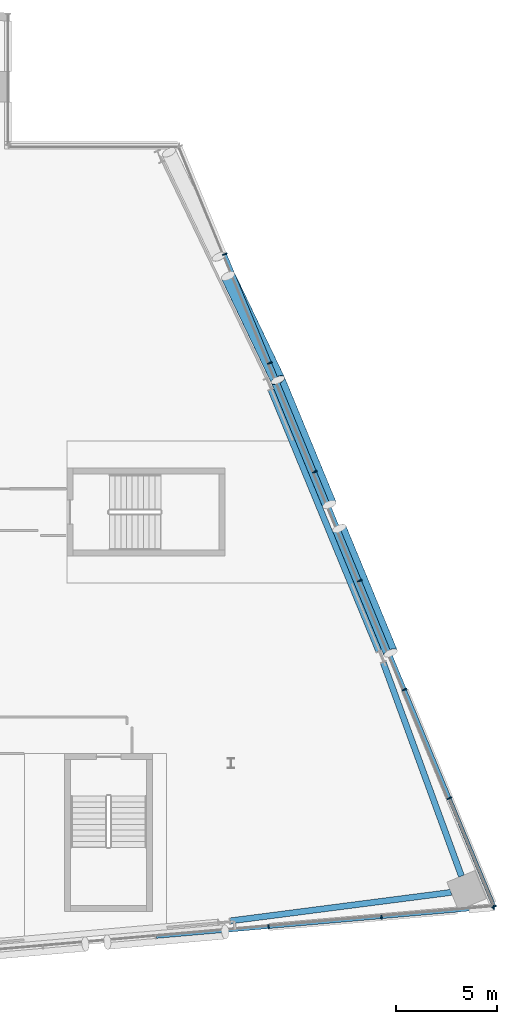
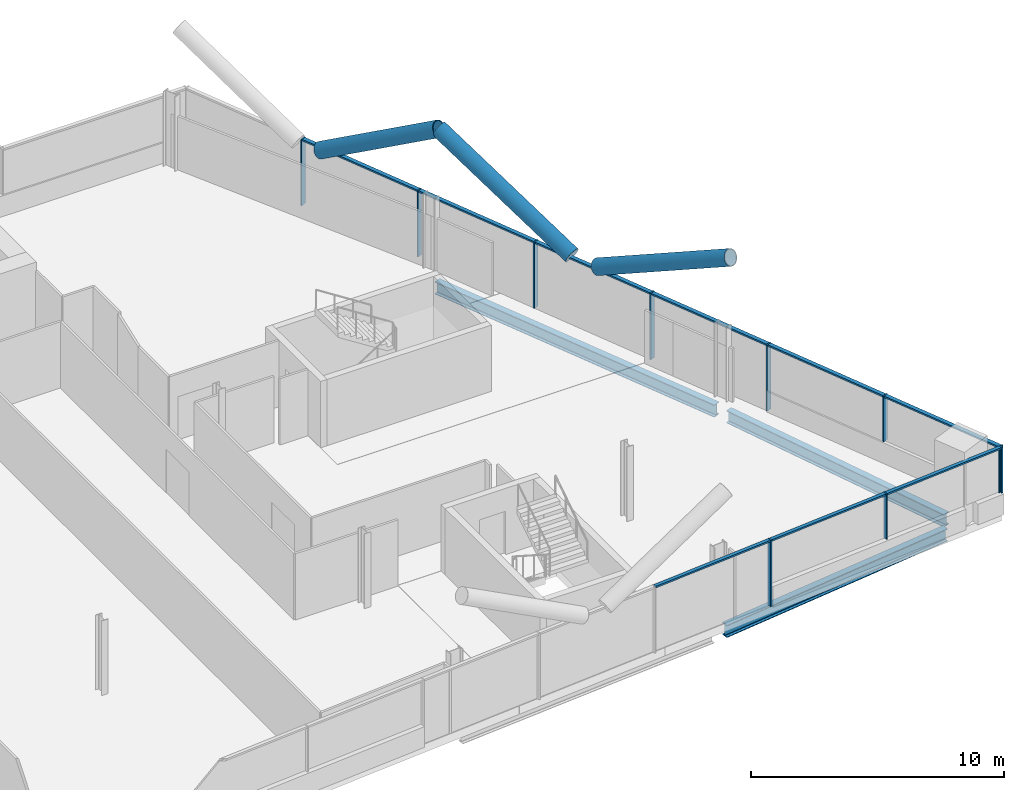
# One storey, part 11 of 26: 22 members, 3 beams, 2 elements without a shape of their own.
"""IFC4 building model written with IfcOpenShell, lengths in metres."""

import ifcopenshell
import ifcopenshell.guid

model = None  # the IFC model being written
_history = None  # IfcOwnerHistory: only IFC2X3 demands one
_inside = {}  # id of a spatial element -> (the spatial element, [elements in it])
_under = {}  # id of a project, library or spatial element -> (it, [spatial elements below it])
_declared = {}  # id of a project -> (the project, [libraries it declares])
_typed = {}  # id of a type object -> (the type object, [elements of that type])
_made_of = {}  # id of a material, layer set ... -> (it, [elements and type objects made of it])


def new_model(schema):
    """Start an empty IFC model of exactly this schema.

    Asked for "IFC4X3", IfcOpenShell would pick the latest addendum, in which some entities
    have other attributes; the version numbers below select the first issue.
    IFC2X3 requires an IfcOwnerHistory on every rooted entity: one is made here for all.
    """
    global model, _history
    if schema == "IFC4X3":
        model = ifcopenshell.file(schema_version=(4, 3, 0, 0))
    else:
        model = ifcopenshell.file(schema=schema)
    _inside.clear()
    _under.clear()
    _declared.clear()
    _typed.clear()
    _made_of.clear()
    _history = None
    if model.schema == "IFC2X3":
        org = make("IfcOrganization", Name="unknown")
        user = make(
            "IfcPersonAndOrganization",
            ThePerson=make("IfcPerson", FamilyName="unknown"),
            TheOrganization=org,
        )
        app = make(
            "IfcApplication",
            ApplicationDeveloper=org,
            Version="unknown",
            ApplicationFullName="unknown",
            ApplicationIdentifier="unknown",
        )
        _history = make(
            "IfcOwnerHistory",
            OwningUser=user,
            OwningApplication=app,
            ChangeAction="ADDED",
            CreationDate=0,
        )
    return model


def make(cls, **values):
    """One entity of the class cls with the attributes given. An attribute that is None is left unset."""
    return model.create_entity(
        cls, **{name: value for name, value in values.items() if value is not None}
    )


def rooted(cls, **values):
    """An entity with a GlobalId (a new one), such as an element, a storey or a relation."""
    return make(cls, GlobalId=ifcopenshell.guid.new(), OwnerHistory=_history, **values)


def si_unit(unit_type, name, prefix=None):
    """IfcSIUnit, for example si_unit("LENGTHUNIT", "METRE", prefix="MILLI")."""
    return make("IfcSIUnit", UnitType=unit_type, Prefix=prefix, Name=name)


def assignment(units):
    """IfcUnitAssignment: the units of a project."""
    return None if units is None else make("IfcUnitAssignment", Units=units)


def point(xyz):
    """IfcCartesianPoint."""
    return None if xyz is None else make("IfcCartesianPoint", Coordinates=xyz)


def direction(xyz):
    """IfcDirection."""
    return None if xyz is None else make("IfcDirection", DirectionRatios=xyz)


def frame(location, z_axis=None, x_axis=None):
    """IfcAxis2Placement3D, a coordinate frame: its origin and axes. An axis left out is left unset."""
    return make(
        "IfcAxis2Placement3D",
        Location=point(location),
        Axis=direction(z_axis),
        RefDirection=direction(x_axis),
    )


def frame_2d(location, x_axis=None):
    """IfcAxis2Placement2D, a coordinate frame in the plane: its origin and x axis."""
    return make(
        "IfcAxis2Placement2D", Location=point(location), RefDirection=direction(x_axis)
    )


def origin():
    """The frame at (0, 0, 0) with its axes left unset."""
    return frame((0.0, 0.0, 0.0))


def origin_2d():
    """The frame at (0, 0) in the plane with its x axis left unset."""
    return frame_2d((0.0, 0.0))


def place(relative_to, where):
    """IfcLocalPlacement: puts the frame where relative to a parent placement (None: the world)."""
    return make(
        "IfcLocalPlacement", PlacementRelTo=relative_to, RelativePlacement=where
    )


def context(
    kind, dimensions, precision=None, world=None, true_north=None, identifier=None
):
    """IfcGeometricRepresentationContext, for example the 3D "Model" context."""
    return make(
        "IfcGeometricRepresentationContext",
        ContextIdentifier=identifier,
        ContextType=kind,
        CoordinateSpaceDimension=dimensions,
        Precision=precision,
        WorldCoordinateSystem=world,
        TrueNorth=true_north,
    )


def subcontext(parent, identifier, kind, view, scale=None):
    """IfcGeometricRepresentationSubContext, for example "Body" below "Model"."""
    return make(
        "IfcGeometricRepresentationSubContext",
        ContextIdentifier=identifier,
        ContextType=kind,
        ParentContext=parent,
        TargetScale=scale,
        TargetView=view,
    )


def project(units=None, contexts=None):
    """IfcProject with its units and contexts."""
    return rooted(
        "IfcProject",
        Name="project",
        RepresentationContexts=contexts,
        UnitsInContext=assignment(units),
    )


def spatial(cls, under=None, at=None, **own):
    """A site, building, storey or space (cls), placed at a placement, below another one or the project."""
    s = rooted(cls, ObjectPlacement=at, **own)
    if under is not None:
        _under.setdefault(under.id(), (under, []))[1].append(s)
    return s


def profile(cls, at=None, kind="AREA", **sizes):
    """A parametric profile (cls). Its sizes go by their IFC names, for example OverallWidth=200.0."""
    return make(cls, ProfileType=kind, Position=at, **sizes)


def rectangle(**sizes):
    """IfcRectangleProfileDef."""
    return profile("IfcRectangleProfileDef", **sizes)


def hollow_circle(**sizes):
    """IfcCircleHollowProfileDef."""
    return profile("IfcCircleHollowProfileDef", **sizes)


def i_section(**sizes):
    """IfcIShapeProfileDef."""
    return profile("IfcIShapeProfileDef", **sizes)


def extrude(swept, where, along, depth):
    """IfcExtrudedAreaSolid: the profile swept, set in the frame where, extruded along a direction by depth."""
    return make(
        "IfcExtrudedAreaSolid",
        SweptArea=swept,
        Position=where,
        ExtrudedDirection=direction(along),
        Depth=depth,
    )


def shape(context_of_items, identifier, shape_type, items):
    """IfcShapeRepresentation: the items that make up one representation, for example the "Body"."""
    return make(
        "IfcShapeRepresentation",
        ContextOfItems=context_of_items,
        RepresentationIdentifier=identifier,
        RepresentationType=shape_type,
        Items=items,
    )


def material(Name=None, Category=None):
    """IfcMaterial."""
    return make("IfcMaterial", Name=Name, Category=Category)


def material_profile(
    of_material, cross_section, Name=None, Category=None, Priority=None
):
    """IfcMaterialProfile: a cross section and its material."""
    return make(
        "IfcMaterialProfile",
        Name=Name,
        Material=of_material,
        Profile=cross_section,
        Priority=Priority,
        Category=Category,
    )


def profile_set(profiles, Name=None, composite=None):
    """IfcMaterialProfileSet."""
    return make(
        "IfcMaterialProfileSet",
        Name=Name,
        MaterialProfiles=profiles,
        CompositeProfile=composite,
    )


def made_of(thing, what):
    """Note that an element or type object is made of a material, layer set ...; save() writes the relation."""
    if what is not None:
        _made_of.setdefault(what.id(), (what, []))[1].append(thing)
    return thing


def type_object(cls, material=None, **own):
    """A type object (cls), such as IfcWallType, which elements share."""
    return made_of(rooted(cls, **own), material)


def element(
    cls,
    number,
    at=None,
    inside=None,
    cuts=None,
    type_object=None,
    material=None,
    context=None,
    identifier="Body",
    shape_type=None,
    held_by="IfcProductDefinitionShape",
    body=None,
    shapes=None,
    **own,
):
    """One element of the class cls, such as IfcWall. Its Tag is "e" and its number.

    at: its placement. inside: the storey or other place that contains it. cuts: it is an
    opening in that element (IfcRelVoidsElement). A single representation is given by context,
    identifier, shape_type and body (its items); several are given by shapes. held_by: the class
    of the entity that holds the representations. save() writes the other relations.
    """
    e = rooted(cls, Tag="e%d" % number, ObjectPlacement=at, **own)
    if body is not None:
        shapes = [shape(context, identifier, shape_type, body)]
    if shapes is not None:
        e.Representation = make(held_by, Representations=shapes)
    if inside is not None:
        _inside.setdefault(inside.id(), (inside, []))[1].append(e)
    if cuts is not None:
        rooted(
            "IfcRelVoidsElement", RelatingBuildingElement=cuts, RelatedOpeningElement=e
        )
    if type_object is not None:
        _typed.setdefault(type_object.id(), (type_object, []))[1].append(e)
    return made_of(e, material)


def aggregate(whole, parts):
    """IfcRelAggregates: a whole, such as a stair, and the parts it consists of."""
    return rooted("IfcRelAggregates", RelatingObject=whole, RelatedObjects=parts)


def save(model, path):
    """Write the relations noted so far, then the file.

    IfcRelAggregates (storeys below a building ...), IfcRelContainedInSpatialStructure (elements
    in a storey), IfcRelDefinesByType, IfcRelAssociatesMaterial and IfcRelDeclares: one each for
    every whole, place, type object, material and project.
    """
    for whole, parts in _under.values():
        aggregate(whole, parts)
    for where, things in _inside.values():
        rooted(
            "IfcRelContainedInSpatialStructure",
            RelatedElements=things,
            RelatingStructure=where,
        )
    for kind, things in _typed.values():
        rooted("IfcRelDefinesByType", RelatedObjects=things, RelatingType=kind)
    for what, things in _made_of.values():
        rooted("IfcRelAssociatesMaterial", RelatedObjects=things, RelatingMaterial=what)
    for by, libraries in _declared.values():
        rooted("IfcRelDeclares", RelatingContext=by, RelatedDefinitions=libraries)
    model.write(path)


model = new_model("IFC4")

# Units and contexts
model_context = context("Model", 3, precision=1e-05, world=origin(), true_north=direction((0.0, 1.0)))
body_context = subcontext(model_context, "Body", "Model", "MODEL_VIEW")
ifc_project = project(units=[si_unit("LENGTHUNIT", "METRE"), si_unit("AREAUNIT", "SQUARE_METRE"), si_unit("VOLUMEUNIT", "CUBIC_METRE"), si_unit("PLANEANGLEUNIT", "RADIAN"), si_unit("MASSUNIT", "GRAM", prefix="KILO")], contexts=[model_context])

# Site, building, storey
site_placement = place(None, origin())
site = spatial("IfcSite", under=ifc_project, at=site_placement, CompositionType="ELEMENT")
building_placement = place(site_placement, origin())
building = spatial("IfcBuilding", under=site, at=building_placement, Name="Wharfspan Tower", CompositionType="ELEMENT")
storey_placement = place(building_placement, frame((0.0, 0.0, 180.699951)))
storey = spatial("IfcBuildingStorey", under=building, at=storey_placement, Name="L44", CompositionType="ELEMENT", Elevation=180.699951)

# Beams
ifc_material_1 = material(Name="Steel S355J2", Category="steel")
ifc_material_profile_1 = material_profile(ifc_material_1, i_section(OverallWidth=0.300049, OverallDepth=0.600098, WebThickness=0.015381, FlangeThickness=0.030029, FilletRadius=0.0271, at=origin_2d()))
ifc_profile_set_1 = profile_set([ifc_material_profile_1], Name="Steel S355J2")
beam_type = type_object("IfcBeamType", Name="Edge beam HEB 600", PredefinedType="SPANDREL", material=ifc_profile_set_1)
beam_1_placement = place(storey_placement, frame((71.965576, 3.724121, -0.699951), z_axis=(0.991764, 0.128077, 0.0), x_axis=(-0.128077, 0.991764, 0.0)))
element("IfcBeam", 1, at=beam_1_placement, inside=storey, type_object=beam_type, Name="Edge beam S2 L44 PS2.2 to MC4", PredefinedType="SPANDREL", context=body_context, shape_type="SweptSolid", body=[
    extrude(i_section(OverallWidth=0.300049, OverallDepth=0.600098, WebThickness=0.015381, FlangeThickness=0.030029, FilletRadius=0.0271, at=origin_2d()), origin(), (0.0, 0.0, 1.0), 10.991211),
])
beam_2_placement = place(storey_placement, frame((83.375732, 5.931885, -0.699951), z_axis=(-0.343871, 0.939017, 0.0), x_axis=(-0.939017, -0.343871, 0.0)))
element("IfcBeam", 2, at=beam_2_placement, inside=storey, type_object=beam_type, Name="Edge beam E L44 MC4 to PE.1", PredefinedType="SPANDREL", context=body_context, shape_type="SweptSolid", body=[
    extrude(i_section(OverallWidth=0.300049, OverallDepth=0.600098, WebThickness=0.015381, FlangeThickness=0.030029, FilletRadius=0.0271, at=origin_2d()), origin(), (0.0, 0.0, 1.0), 11.226807),
])
beam_3_placement = place(storey_placement, frame((79.292969, 17.044434, -0.699951), z_axis=(-0.381593, 0.92433, 0.0), x_axis=(-0.92433, -0.381593, 0.0)))
element("IfcBeam", 3, at=beam_3_placement, inside=storey, type_object=beam_type, Name="Edge beam E L44 PE.1 to PE.2", PredefinedType="SPANDREL", context=body_context, shape_type="SweptSolid", body=[
    extrude(i_section(OverallWidth=0.300049, OverallDepth=0.600098, WebThickness=0.015381, FlangeThickness=0.030029, FilletRadius=0.0271, at=origin_2d()), origin(), (0.0, 0.0, 1.0), 13.94751),
])

# Curtain wall, members
ifc_material_2 = material(Name="Aluminium 6063-T6", Category="aluminium")
curtain_wall_type_1 = type_object("IfcCurtainWallType", Name="CURTAIN WALL FACETED FRONT", PredefinedType="NOTDEFINED", material=ifc_material_2)
curtain_wall_1_placement = place(storey_placement, origin())
curtain_wall_1 = element("IfcCurtainWall", 4, at=curtain_wall_1_placement, inside=storey, type_object=curtain_wall_type_1, Name="Curtain wall S2", PredefinedType="NOTDEFINED")
ifc_material_profile_2 = material_profile(ifc_material_2, rectangle(XDim=0.199951, YDim=0.060059, at=origin_2d()))
ifc_profile_set_2 = profile_set([ifc_material_profile_2], Name="Aluminium 6063-T6")
member_type_1 = type_object("IfcMemberType", Name="MULLION FACETED FRONT 60x200", PredefinedType="MULLION", material=ifc_profile_set_2)
member_1_placement = place(storey_placement, frame((73.857178, 3.425049, 0.0), z_axis=(0.0, 0.0, 1.0), x_axis=(-0.087156, 0.996198, 0.0)))
member_1 = element("IfcMember", 5, at=member_1_placement, type_object=member_type_1, Name="Curtain wall S2 mullion 6", PredefinedType="MULLION", context=body_context, shape_type="SweptSolid", body=[
    extrude(rectangle(XDim=0.199951, YDim=0.060059, at=origin_2d()), origin(), (0.0, 0.0, 1.0), 3.199951),
])
member_2_placement = place(storey_placement, frame((79.428467, 3.912598, 1.0), z_axis=(0.0, 0.0, 1.0), x_axis=(-0.087156, 0.996198, 0.0)))
member_2 = element("IfcMember", 6, at=member_2_placement, type_object=member_type_1, Name="Curtain wall S2 mullion 7", PredefinedType="MULLION", context=body_context, shape_type="SweptSolid", body=[
    extrude(rectangle(XDim=0.199951, YDim=0.060059, at=origin_2d()), origin(), (0.0, 0.0, 1.0), 2.199951),
])
member_3_placement = place(storey_placement, frame((84.970215, 4.397461, 1.0), z_axis=(0.0, 0.0, 1.0), x_axis=(-0.087156, 0.996198, 0.0)))
member_3 = element("IfcMember", 7, at=member_3_placement, type_object=member_type_1, Name="Curtain wall S2 mullion 8", PredefinedType="MULLION", context=body_context, shape_type="SweptSolid", body=[
    extrude(rectangle(XDim=0.199951, YDim=0.060059, at=origin_2d()), origin(), (0.0, 0.0, 1.0), 2.199951),
])

curtain_wall_type_2 = type_object("IfcCurtainWallType", Name="CURTAIN WALL PROW AND END", PredefinedType="NOTDEFINED", material=ifc_material_2)
curtain_wall_2_placement = place(storey_placement, origin())
curtain_wall_2 = element("IfcCurtainWall", 8, at=curtain_wall_2_placement, inside=storey, type_object=curtain_wall_type_2, Name="Curtain wall E", PredefinedType="NOTDEFINED")
ifc_material_profile_3 = material_profile(ifc_material_2, rectangle(XDim=0.23999, YDim=0.060059, at=origin_2d()))
ifc_profile_set_3 = profile_set([ifc_material_profile_3], Name="Aluminium 6063-T6")
member_type_2 = type_object("IfcMemberType", Name="MULLION PROW AND END 60x240", PredefinedType="MULLION", material=ifc_profile_set_3)
member_4_placement = place(storey_placement, frame((84.988525, 4.427734, 1.0), z_axis=(0.0, 0.0, 1.0), x_axis=(-0.924325, -0.381602, 0.0)))
member_4 = element("IfcMember", 9, at=member_4_placement, type_object=member_type_2, Name="Curtain wall E mullion 1", PredefinedType="MULLION", context=body_context, shape_type="SweptSolid", body=[
    extrude(rectangle(XDim=0.23999, YDim=0.060059, at=origin_2d()), origin(), (0.0, 0.0, 1.0), 2.199951),
])
member_5_placement = place(storey_placement, frame((82.782471, 9.771484, 1.0), z_axis=(0.0, 0.0, 1.0), x_axis=(-0.924325, -0.381602, 0.0)))
member_5 = element("IfcMember", 10, at=member_5_placement, type_object=member_type_2, Name="Curtain wall E mullion 2", PredefinedType="MULLION", context=body_context, shape_type="SweptSolid", body=[
    extrude(rectangle(XDim=0.23999, YDim=0.060059, at=origin_2d()), origin(), (0.0, 0.0, 1.0), 2.199951),
])
member_6_placement = place(storey_placement, frame((80.564941, 15.142822, 0.0), z_axis=(0.0, 0.0, 1.0), x_axis=(-0.924325, -0.381602, 0.0)))
member_6 = element("IfcMember", 11, at=member_6_placement, type_object=member_type_2, Name="Curtain wall E mullion 3", PredefinedType="MULLION", context=body_context, shape_type="SweptSolid", body=[
    extrude(rectangle(XDim=0.23999, YDim=0.060059, at=origin_2d()), origin(), (0.0, 0.0, 1.0), 3.199951),
])
member_7_placement = place(storey_placement, frame((78.347412, 20.514404, 0.0), z_axis=(0.0, 0.0, 1.0), x_axis=(-0.924325, -0.381602, 0.0)))
member_7 = element("IfcMember", 12, at=member_7_placement, type_object=member_type_2, Name="Curtain wall E mullion 4", PredefinedType="MULLION", context=body_context, shape_type="SweptSolid", body=[
    extrude(rectangle(XDim=0.23999, YDim=0.060059, at=origin_2d()), origin(), (0.0, 0.0, 1.0), 3.199951),
])
member_8_placement = place(storey_placement, frame((76.129639, 25.885742, 0.0), z_axis=(0.0, 0.0, 1.0), x_axis=(-0.924325, -0.381602, 0.0)))
member_8 = element("IfcMember", 13, at=member_8_placement, type_object=member_type_2, Name="Curtain wall E mullion 5", PredefinedType="MULLION", context=body_context, shape_type="SweptSolid", body=[
    extrude(rectangle(XDim=0.23999, YDim=0.060059, at=origin_2d()), origin(), (0.0, 0.0, 1.0), 3.199951),
])
member_9_placement = place(storey_placement, frame((73.912109, 31.25708, 0.0), z_axis=(0.0, 0.0, 1.0), x_axis=(-0.924325, -0.381602, 0.0)))
member_9 = element("IfcMember", 14, at=member_9_placement, type_object=member_type_2, Name="Curtain wall E mullion 6", PredefinedType="MULLION", context=body_context, shape_type="SweptSolid", body=[
    extrude(rectangle(XDim=0.23999, YDim=0.060059, at=origin_2d()), origin(), (0.0, 0.0, 1.0), 3.199951),
])
member_10_placement = place(storey_placement, frame((71.69458, 36.628662, 0.0), z_axis=(0.0, 0.0, 1.0), x_axis=(-0.924325, -0.381602, 0.0)))
member_10 = element("IfcMember", 15, at=member_10_placement, type_object=member_type_2, Name="Curtain wall E mullion 7", PredefinedType="MULLION", context=body_context, shape_type="SweptSolid", body=[
    extrude(rectangle(XDim=0.23999, YDim=0.060059, at=origin_2d()), origin(), (0.0, 0.0, 1.0), 3.199951),
])

# Members
ifc_material_3 = material(Name="Steel S460NH", Category="steel")
ifc_material_profile_4 = material_profile(ifc_material_3, hollow_circle(Radius=0.355469, WallThickness=0.035889, at=origin_2d()))
ifc_profile_set_4 = profile_set([ifc_material_profile_4], Name="Steel S460NH")
member_type_3 = type_object("IfcMemberType", Name="Mega brace CHS 711x36", PredefinedType="BRACE", material=ifc_profile_set_4)
for number, where, z_axis, x_axis, name in (
    (16, (76.854248, 24.275146, 3.216797), (-0.342084, 0.828543, 0.443278), (-0.924317, -0.381625, -3e-06), "Mega brace E5 L44 part 2"),
    (17, (77.343018, 23.091309, 3.216797), (0.342045, -0.828562, 0.443271), (0.924337, 0.381581, -3e-06), "Mega brace E5 L44 part 4"),
):
    element("IfcMember", number, at=place(storey_placement, frame(where, z_axis=z_axis, x_axis=x_axis)), inside=storey, type_object=member_type_3, Name=name, PredefinedType="BRACE", context=body_context, shape_type="SweptSolid", body=[
        extrude(hollow_circle(Radius=0.355469, WallThickness=0.035889, at=origin_2d()), origin(), (0.0, 0.0, 1.0), 7.406738),
    ])
member_11_placement = place(storey_placement, frame((71.858154, 35.550537, 3.205811), z_axis=(0.374119, -0.780731, 0.500494), x_axis=(0.90181, 0.432137, -3e-06)))
element("IfcMember", 18, at=member_11_placement, inside=storey, type_object=member_type_3, Name="Mega brace E6 L44 part 4", PredefinedType="BRACE", context=body_context, shape_type="SweptSolid", body=[
    extrude(hollow_circle(Radius=0.355469, WallThickness=0.035889, at=origin_2d()), origin(), (0.0, 0.0, 1.0), 6.581787),
])

# Member
ifc_material_profile_5 = material_profile(ifc_material_2, rectangle(XDim=0.159912, YDim=0.080078, at=origin_2d()))
ifc_profile_set_5 = profile_set([ifc_material_profile_5], Name="Aluminium 6063-T6")
member_type_4 = type_object("IfcMemberType", Name="TRANSOM FACETED FRONT 80x160", PredefinedType="USERDEFINED", material=ifc_profile_set_5)
member_12_placement = place(storey_placement, frame((68.315674, 2.940186, 3.160156), z_axis=(0.996191, 0.087197, 0.0), x_axis=(-0.087197, 0.996191, 0.0)))
member_12 = element("IfcMember", 19, at=member_12_placement, type_object=member_type_4, Name="Curtain wall S2 transom 5", ObjectType="TRANSOM", PredefinedType="USERDEFINED", context=body_context, shape_type="SweptSolid", body=[
    extrude(rectangle(XDim=0.159912, YDim=0.080078, at=origin_2d()), origin(), (0.0, 0.0, 1.0), 5.532471),
])

member_13_placement = place(storey_placement, frame((73.886963, 3.427734, 3.160156), z_axis=(0.996195, 0.087149, 0.0), x_axis=(-0.087149, 0.996195, 0.0)))
member_13 = element("IfcMember", 20, at=member_13_placement, type_object=member_type_4, Name="Curtain wall S2 transom 6", ObjectType="TRANSOM", PredefinedType="USERDEFINED", context=body_context, shape_type="SweptSolid", body=[
    extrude(rectangle(XDim=0.159912, YDim=0.080078, at=origin_2d()), origin(), (0.0, 0.0, 1.0), 5.532715),
])

member_14_placement = place(storey_placement, frame((79.458496, 3.915283, 3.160156), z_axis=(0.996196, 0.087139, 0.0), x_axis=(-0.087139, 0.996196, 0.0)))
member_14 = element("IfcMember", 21, at=member_14_placement, type_object=member_type_4, Name="Curtain wall S2 transom 7", ObjectType="TRANSOM", PredefinedType="USERDEFINED", context=body_context, shape_type="SweptSolid", body=[
    extrude(rectangle(XDim=0.159912, YDim=0.080078, at=origin_2d()), origin(), (0.0, 0.0, 1.0), 5.502686),
])

aggregate(curtain_wall_1, [member_1, member_2, member_3, member_12, member_13, member_14])

ifc_material_profile_6 = material_profile(ifc_material_2, rectangle(XDim=0.179932, YDim=0.080078, at=origin_2d()))
ifc_profile_set_6 = profile_set([ifc_material_profile_6], Name="Aluminium 6063-T6")
member_type_5 = type_object("IfcMemberType", Name="TRANSOM PROW AND END 80x180", PredefinedType="USERDEFINED", material=ifc_profile_set_6)
member_15_placement = place(storey_placement, frame((84.977051, 4.455566, 3.160156), z_axis=(-0.381595, 0.924329, 0.0), x_axis=(-0.924329, -0.381595, 0.0)))
member_15 = element("IfcMember", 22, at=member_15_placement, type_object=member_type_5, Name="Curtain wall E transom 1", ObjectType="TRANSOM", PredefinedType="USERDEFINED", context=body_context, shape_type="SweptSolid", body=[
    extrude(rectangle(XDim=0.179932, YDim=0.080078, at=origin_2d()), origin(), (0.0, 0.0, 1.0), 5.720947),
])

member_16_placement = place(storey_placement, frame((82.770996, 9.799072, 3.160156), z_axis=(-0.381578, 0.924337, 0.0), x_axis=(-0.924337, -0.381578, 0.0)))
member_16 = element("IfcMember", 23, at=member_16_placement, type_object=member_type_5, Name="Curtain wall E transom 2", ObjectType="TRANSOM", PredefinedType="USERDEFINED", context=body_context, shape_type="SweptSolid", body=[
    extrude(rectangle(XDim=0.179932, YDim=0.080078, at=origin_2d()), origin(), (0.0, 0.0, 1.0), 5.751221),
])

member_17_placement = place(storey_placement, frame((80.553467, 15.170654, 3.160156), z_axis=(-0.381629, 0.924315, 0.0), x_axis=(-0.924315, -0.381629, 0.0)))
member_17 = element("IfcMember", 24, at=member_17_placement, type_object=member_type_5, Name="Curtain wall E transom 3", ObjectType="TRANSOM", PredefinedType="USERDEFINED", context=body_context, shape_type="SweptSolid", body=[
    extrude(rectangle(XDim=0.179932, YDim=0.080078, at=origin_2d()), origin(), (0.0, 0.0, 1.0), 5.751221),
])

member_18_placement = place(storey_placement, frame((78.335938, 20.541992, 3.160156), z_axis=(-0.381629, 0.924315, 0.0), x_axis=(-0.924315, -0.381629, 0.0)))
member_18 = element("IfcMember", 25, at=member_18_placement, type_object=member_type_5, Name="Curtain wall E transom 4", ObjectType="TRANSOM", PredefinedType="USERDEFINED", context=body_context, shape_type="SweptSolid", body=[
    extrude(rectangle(XDim=0.179932, YDim=0.080078, at=origin_2d()), origin(), (0.0, 0.0, 1.0), 5.751221),
])

member_19_placement = place(storey_placement, frame((76.118408, 25.91333, 3.160156), z_axis=(-0.381614, 0.924322, 0.0), x_axis=(-0.924322, -0.381614, 0.0)))
member_19 = element("IfcMember", 26, at=member_19_placement, type_object=member_type_5, Name="Curtain wall E transom 5", ObjectType="TRANSOM", PredefinedType="USERDEFINED", context=body_context, shape_type="SweptSolid", body=[
    extrude(rectangle(XDim=0.179932, YDim=0.080078, at=origin_2d()), origin(), (0.0, 0.0, 1.0), 5.751465),
])

member_20_placement = place(storey_placement, frame((73.900635, 31.284912, 3.160156), z_axis=(-0.381593, 0.92433, 0.0), x_axis=(-0.92433, -0.381593, 0.0)))
member_20 = element("IfcMember", 27, at=member_20_placement, type_object=member_type_5, Name="Curtain wall E transom 6", ObjectType="TRANSOM", PredefinedType="USERDEFINED", context=body_context, shape_type="SweptSolid", body=[
    extrude(rectangle(XDim=0.179932, YDim=0.080078, at=origin_2d()), origin(), (0.0, 0.0, 1.0), 5.751221),
])

aggregate(curtain_wall_2, [member_4, member_5, member_6, member_7, member_8, member_9, member_10, member_15, member_16, member_17, member_18, member_19, member_20])

save(model, "model.ifc")
